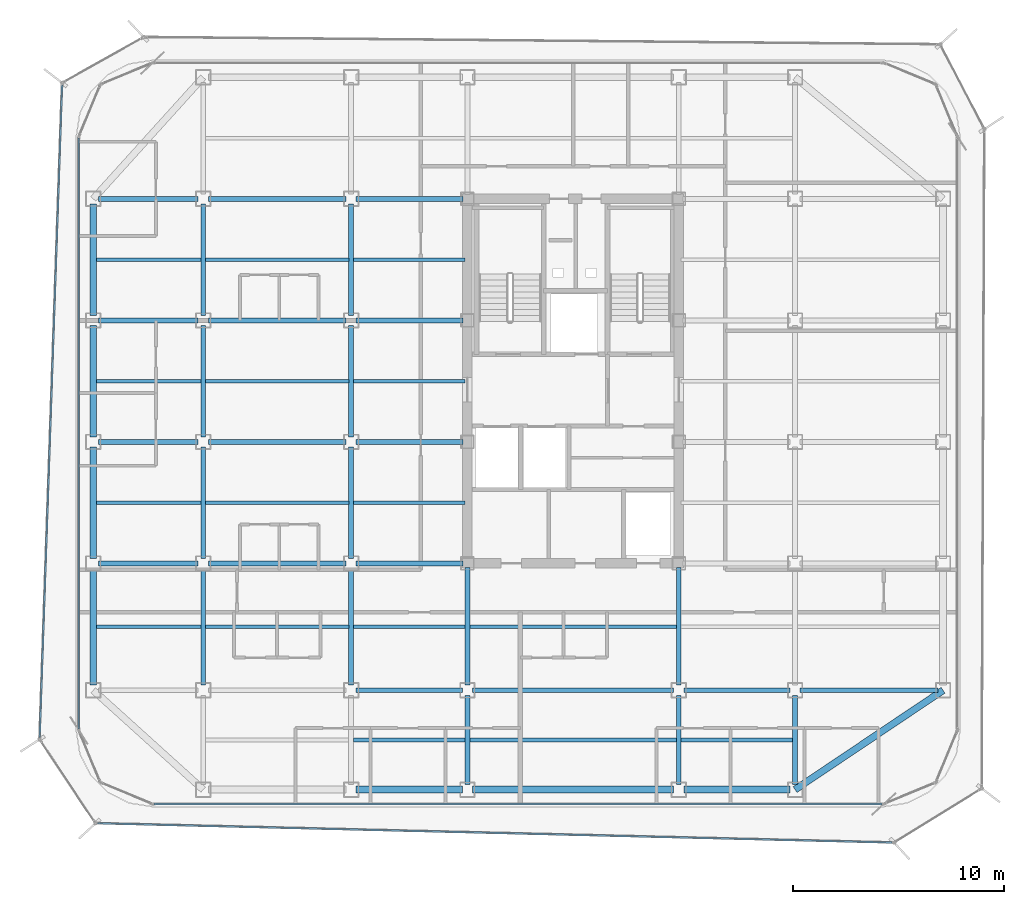
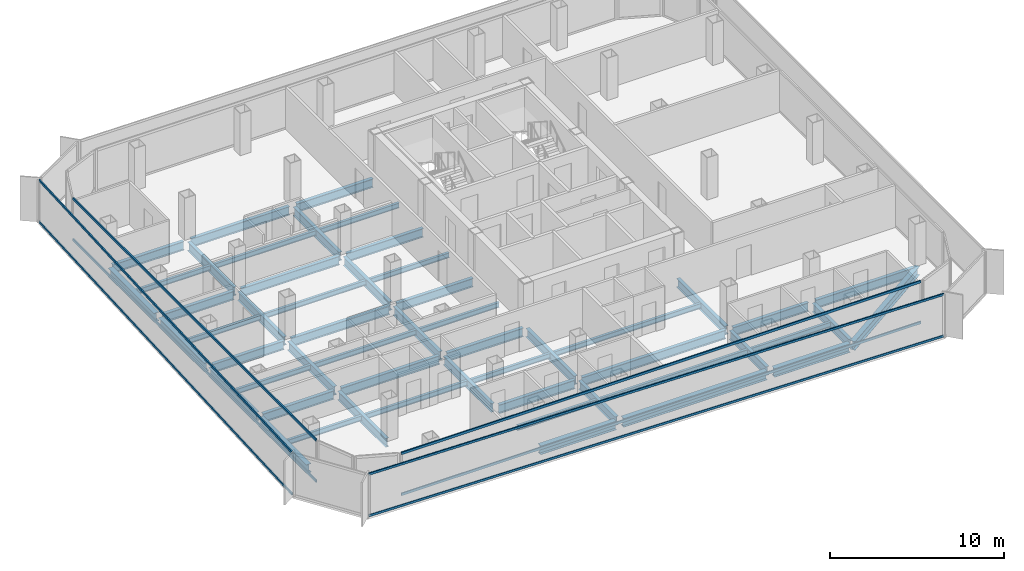
# One storey, part 3 of 15: 53 beams, 8 members, 4 elements without a shape of their own.
"""IFC4 building model written with IfcOpenShell, lengths in metres."""

from ifc_helpers import new_model, si_unit, direction, frame, origin, origin_2d, place, context, subcontext, project, spatial, hollow_rectangle, i_section, extrude, source, transform, mapped, material, layer, layer_set, material_profile, profile_set, type_object, element, aggregate, save


model = new_model("IFC4")

# Units and contexts
model_context = context("Model", 3, precision=1e-05, world=origin(), true_north=direction((0.0, 1.0)))
body_context = subcontext(model_context, "Body", "Model", "MODEL_VIEW")
ifc_project = project(units=[si_unit("LENGTHUNIT", "METRE"), si_unit("AREAUNIT", "SQUARE_METRE"), si_unit("VOLUMEUNIT", "CUBIC_METRE"), si_unit("PLANEANGLEUNIT", "RADIAN"), si_unit("MASSUNIT", "GRAM", prefix="KILO")], contexts=[model_context])

# Site, building, storey
site_placement = place(None, origin())
site = spatial("IfcSite", under=ifc_project, at=site_placement, CompositionType="ELEMENT")
building_placement = place(site_placement, origin())
building = spatial("IfcBuilding", under=site, at=building_placement, Name="Kolveth Station Tower", CompositionType="ELEMENT")
storey_placement = place(building_placement, frame((0.0, 0.0, 181.699951171875)))
storey = spatial("IfcBuildingStorey", under=building, at=storey_placement, Name="L51", CompositionType="ELEMENT", Elevation=181.699951171875)

# Beams
ifc_material_1 = material(Name="Steel S355", Category="steel")
ifc_material_profile_1 = material_profile(ifc_material_1, i_section(OverallWidth=0.323974609375, OverallDepth=0.611083984375, WebThickness=0.0126953125, FlangeThickness=0.01904296875, at=origin_2d()), Name="W610x155")
ifc_profile_set_1 = profile_set([ifc_material_profile_1], Name="Steel S355")
beam_type_1 = type_object("IfcBeamType", Name="Beam_SP2", PredefinedType="SPANDREL", material=ifc_profile_set_1)
shared_shape_1 = source(origin(), body_context, "Body", "SweptSolid", [
    extrude(i_section(OverallWidth=0.323974609375, OverallDepth=0.611083984375, WebThickness=0.0126953125, FlangeThickness=0.01904296875, at=origin_2d()), origin(), (0.0, 0.0, 1.0), 5.02001953125),
])
for number, where, z_axis, x_axis, name in (
    (1, (13.239990234375, 0.800048828125, -0.555419921875), (1.0, 0.0, 0.0), (0.0, 1.0, 0.0), "L51 Perimeter Spandrel BM-L51-PS-2"),
    (2, (28.739990234375, 0.800048828125, -0.555419921875), (1.0, 0.0, 0.0), (0.0, 1.0, 0.0), "L51 Perimeter Spandrel BM-L51-PS-4"),
):
    element("IfcBeam", number, at=place(storey_placement, frame(where, z_axis=z_axis, x_axis=x_axis)), inside=storey, type_object=beam_type_1, Name=name, PredefinedType="SPANDREL", context=body_context, shape_type="MappedRepresentation", body=[
        mapped(shared_shape_1, transform((0.0, 0.0, 0.0), x_axis=(1.0, 0.0, 0.0), y_axis=(0.0, 1.0, 0.0), z_axis=(0.0, 0.0, 1.0), scale=1.0)),
    ])
shared_shape_2 = source(origin(), body_context, "Body", "SweptSolid", [
    extrude(i_section(OverallWidth=0.323974609375, OverallDepth=0.611083984375, WebThickness=0.0126953125, FlangeThickness=0.01904296875, at=origin_2d()), origin(), (0.0, 0.0, 1.0), 9.52001953125),
])
beam_1_placement = place(storey_placement, frame((18.739990234375, 0.800048828125, -0.555419921875), z_axis=(1.0, 0.0, 0.0), x_axis=(0.0, 1.0, 0.0)))
element("IfcBeam", 3, at=beam_1_placement, inside=storey, type_object=beam_type_1, Name="L51 Perimeter Spandrel BM-L51-PS-3", PredefinedType="SPANDREL", context=body_context, shape_type="MappedRepresentation", body=[
    mapped(shared_shape_2, transform((0.0, 0.0, 0.0), x_axis=(1.0, 0.0, 0.0), y_axis=(0.0, 1.0, 0.0), z_axis=(0.0, 0.0, 1.0), scale=1.0)),
])
shared_shape_3 = source(origin(), body_context, "Body", "SweptSolid", [
    extrude(i_section(OverallWidth=0.323974609375, OverallDepth=0.611083984375, WebThickness=0.0126953125, FlangeThickness=0.01904296875, at=origin_2d()), origin(), (0.0, 0.0, 1.0), 5.52001953125),
])
beam_2_placement = place(storey_placement, frame((0.800048828125, 5.739990234375, -0.555419921875), z_axis=(0.0, 1.0, 0.0), x_axis=(-1.0, 0.0, 0.0)))
element("IfcBeam", 4, at=beam_2_placement, inside=storey, type_object=beam_type_1, Name="L51 Perimeter Spandrel BM-L51-PW-1", PredefinedType="SPANDREL", context=body_context, shape_type="MappedRepresentation", body=[
    mapped(shared_shape_3, transform((0.0, 0.0, 0.0), x_axis=(1.0, 0.0, 0.0), y_axis=(0.0, 1.0, 0.0), z_axis=(0.0, 0.0, 1.0), scale=1.0)),
])
shared_shape_4 = source(origin(), body_context, "Body", "SweptSolid", [
    extrude(i_section(OverallWidth=0.323974609375, OverallDepth=0.611083984375, WebThickness=0.0126953125, FlangeThickness=0.01904296875, at=origin_2d()), origin(), (0.0, 0.0, 1.0), 5.27001953125),
])
for number, where, z_axis, x_axis, name in (
    (5, (0.800048828125, 11.739990234375, -0.555419921875), (0.0, 1.0, 0.0), (-1.0, 0.0, 0.0), "L51 Perimeter Spandrel BM-L51-PW-2"),
    (6, (0.800048828125, 17.489990234375, -0.555419921875), (0.0, 1.0, 0.0), (-1.0, 0.0, 0.0), "L51 Perimeter Spandrel BM-L51-PW-3"),
    (7, (0.800048828125, 23.239990234375, -0.555419921875), (0.0, 1.0, 0.0), (-1.0, 0.0, 0.0), "L51 Perimeter Spandrel BM-L51-PW-4"),
):
    element("IfcBeam", number, at=place(storey_placement, frame(where, z_axis=z_axis, x_axis=x_axis)), inside=storey, type_object=beam_type_1, Name=name, PredefinedType="SPANDREL", context=body_context, shape_type="MappedRepresentation", body=[
        mapped(shared_shape_4, transform((0.0, 0.0, 0.0), x_axis=(1.0, 0.0, 0.0), y_axis=(0.0, 1.0, 0.0), z_axis=(0.0, 0.0, 1.0), scale=1.0)),
    ])
shared_shape_5 = source(origin(), body_context, "Body", "SweptSolid", [
    extrude(i_section(OverallWidth=0.323974609375, OverallDepth=0.611083984375, WebThickness=0.0126953125, FlangeThickness=0.01904296875, at=origin_2d()), origin(), (0.0, 0.0, 1.0), 8.431396484375),
])
beam_3_placement = place(storey_placement, frame((34.0, 0.800048828125, -0.555419921875), z_axis=(0.830223811004, 0.557430196206, 0.0), x_axis=(-0.557430196206, 0.830223811004, 0.0)))
element("IfcBeam", 8, at=beam_3_placement, inside=storey, type_object=beam_type_1, Name="L51 Corner Edge Girder BM-L51-CNR-SE", PredefinedType="SPANDREL", context=body_context, shape_type="MappedRepresentation", body=[
    mapped(shared_shape_5, transform((0.0, 0.0, 0.0), x_axis=(1.0, 0.0, 0.0), y_axis=(0.0, 1.0, 0.0), z_axis=(0.0, 0.0, 1.0), scale=1.0)),
])
ifc_material_profile_2 = material_profile(ifc_material_1, i_section(OverallWidth=0.22900390625, OverallDepth=0.612060546875, WebThickness=0.011962890625, FlangeThickness=0.01953125, at=origin_2d()), Name="W610x125")
ifc_profile_set_2 = profile_set([ifc_material_profile_2], Name="Steel S355")
beam_type_2 = type_object("IfcBeamType", Name="Beam_B5", PredefinedType="BEAM", material=ifc_profile_set_2)
shared_shape_6 = source(origin(), body_context, "Body", "SweptSolid", [
    extrude(i_section(OverallWidth=0.22900390625, OverallDepth=0.612060546875, WebThickness=0.011962890625, FlangeThickness=0.01953125, at=origin_2d()), origin(), (0.0, 0.0, 1.0), 4.719970703125),
])
for number, where, z_axis, x_axis, name in (
    (9, (1.0400390625, 11.5, -0.555908203125), (1.0, 0.0, 0.0), (0.0, 1.0, 0.0), "L51 Primary Girder BM-L51-GY115-1"),
    (10, (1.0400390625, 17.25, -0.555908203125), (1.0, 0.0, 0.0), (0.0, 1.0, 0.0), "L51 Primary Girder BM-L51-GY172-1"),
    (11, (1.0400390625, 23.0, -0.555908203125), (1.0, 0.0, 0.0), (0.0, 1.0, 0.0), "L51 Primary Girder BM-L51-GY230-1"),
    (12, (1.0400390625, 28.75, -0.555908203125), (1.0, 0.0, 0.0), (0.0, 1.0, 0.0), "L51 Primary Girder BM-L51-GY287-1"),
):
    element("IfcBeam", number, at=place(storey_placement, frame(where, z_axis=z_axis, x_axis=x_axis)), inside=storey, type_object=beam_type_2, Name=name, PredefinedType="BEAM", context=body_context, shape_type="MappedRepresentation", body=[
        mapped(shared_shape_6, transform((0.0, 0.0, 0.0), x_axis=(1.0, 0.0, 0.0), y_axis=(0.0, 1.0, 0.0), z_axis=(0.0, 0.0, 1.0), scale=1.0)),
    ])
shared_shape_7 = source(origin(), body_context, "Body", "SweptSolid", [
    extrude(i_section(OverallWidth=0.22900390625, OverallDepth=0.612060546875, WebThickness=0.011962890625, FlangeThickness=0.01953125, at=origin_2d()), origin(), (0.0, 0.0, 1.0), 6.52001953125),
])
for number, where, z_axis, x_axis, name in (
    (13, (34.239990234375, 5.5, -0.555908203125), (1.0, 0.0, 0.0), (0.0, 1.0, 0.0), "L51 Primary Girder BM-L51-GY55-6"),
    (14, (6.239990234375, 11.5, -0.555908203125), (1.0, 0.0, 0.0), (0.0, 1.0, 0.0), "L51 Primary Girder BM-L51-GY115-2"),
    (15, (6.239990234375, 17.25, -0.555908203125), (1.0, 0.0, 0.0), (0.0, 1.0, 0.0), "L51 Primary Girder BM-L51-GY172-2"),
    (16, (6.239990234375, 23.0, -0.555908203125), (1.0, 0.0, 0.0), (0.0, 1.0, 0.0), "L51 Primary Girder BM-L51-GY230-2"),
    (17, (6.239990234375, 28.75, -0.555908203125), (1.0, 0.0, 0.0), (0.0, 1.0, 0.0), "L51 Primary Girder BM-L51-GY287-2"),
):
    element("IfcBeam", number, at=place(storey_placement, frame(where, z_axis=z_axis, x_axis=x_axis)), inside=storey, type_object=beam_type_2, Name=name, PredefinedType="BEAM", context=body_context, shape_type="MappedRepresentation", body=[
        mapped(shared_shape_7, transform((0.0, 0.0, 0.0), x_axis=(1.0, 0.0, 0.0), y_axis=(0.0, 1.0, 0.0), z_axis=(0.0, 0.0, 1.0), scale=1.0)),
    ])
shared_shape_8 = source(origin(), body_context, "Body", "SweptSolid", [
    extrude(i_section(OverallWidth=0.22900390625, OverallDepth=0.612060546875, WebThickness=0.011962890625, FlangeThickness=0.01953125, at=origin_2d()), origin(), (0.0, 0.0, 1.0), 5.02001953125),
])
for number, where, z_axis, x_axis, name in (
    (18, (13.239990234375, 5.5, -0.555908203125), (1.0, 0.0, 0.0), (0.0, 1.0, 0.0), "L51 Primary Girder BM-L51-GY55-3"),
    (19, (28.739990234375, 5.5, -0.555908203125), (1.0, 0.0, 0.0), (0.0, 1.0, 0.0), "L51 Primary Girder BM-L51-GY55-5"),
):
    element("IfcBeam", number, at=place(storey_placement, frame(where, z_axis=z_axis, x_axis=x_axis)), inside=storey, type_object=beam_type_2, Name=name, PredefinedType="BEAM", context=body_context, shape_type="MappedRepresentation", body=[
        mapped(shared_shape_8, transform((0.0, 0.0, 0.0), x_axis=(1.0, 0.0, 0.0), y_axis=(0.0, 1.0, 0.0), z_axis=(0.0, 0.0, 1.0), scale=1.0)),
    ])
shared_shape_9 = source(origin(), body_context, "Body", "SweptSolid", [
    extrude(i_section(OverallWidth=0.22900390625, OverallDepth=0.612060546875, WebThickness=0.011962890625, FlangeThickness=0.01953125, at=origin_2d()), origin(), (0.0, 0.0, 1.0), 9.52001953125),
])
beam_4_placement = place(storey_placement, frame((18.739990234375, 5.5, -0.555908203125), z_axis=(1.0, 0.0, 0.0), x_axis=(0.0, 1.0, 0.0)))
element("IfcBeam", 20, at=beam_4_placement, inside=storey, type_object=beam_type_2, Name="L51 Primary Girder BM-L51-GY55-4", PredefinedType="BEAM", context=body_context, shape_type="MappedRepresentation", body=[
    mapped(shared_shape_9, transform((0.0, 0.0, 0.0), x_axis=(1.0, 0.0, 0.0), y_axis=(0.0, 1.0, 0.0), z_axis=(0.0, 0.0, 1.0), scale=1.0)),
])
shared_shape_10 = source(origin(), body_context, "Body", "SweptSolid", [
    extrude(i_section(OverallWidth=0.22900390625, OverallDepth=0.612060546875, WebThickness=0.011962890625, FlangeThickness=0.01953125, at=origin_2d()), origin(), (0.0, 0.0, 1.0), 5.06005859375),
])
for number, where, z_axis, x_axis, name in (
    (21, (13.239990234375, 11.5, -0.555908203125), (1.0, 0.0, 0.0), (0.0, 1.0, 0.0), "L51 Primary Girder BM-L51-GY115-3"),
    (22, (13.239990234375, 17.25, -0.555908203125), (1.0, 0.0, 0.0), (0.0, 1.0, 0.0), "L51 Primary Girder BM-L51-GY172-3"),
    (23, (13.239990234375, 23.0, -0.555908203125), (1.0, 0.0, 0.0), (0.0, 1.0, 0.0), "L51 Primary Girder BM-L51-GY230-3"),
    (24, (13.239990234375, 28.75, -0.555908203125), (1.0, 0.0, 0.0), (0.0, 1.0, 0.0), "L51 Primary Girder BM-L51-GY287-3"),
):
    element("IfcBeam", number, at=place(storey_placement, frame(where, z_axis=z_axis, x_axis=x_axis)), inside=storey, type_object=beam_type_2, Name=name, PredefinedType="BEAM", context=body_context, shape_type="MappedRepresentation", body=[
        mapped(shared_shape_10, transform((0.0, 0.0, 0.0), x_axis=(1.0, 0.0, 0.0), y_axis=(0.0, 1.0, 0.0), z_axis=(0.0, 0.0, 1.0), scale=1.0)),
    ])
shared_shape_11 = source(origin(), body_context, "Body", "SweptSolid", [
    extrude(i_section(OverallWidth=0.22900390625, OverallDepth=0.612060546875, WebThickness=0.011962890625, FlangeThickness=0.01953125, at=origin_2d()), origin(), (0.0, 0.0, 1.0), 4.219970703125),
])
for number, where, z_axis, x_axis, name in (
    (25, (18.5, 1.0400390625, -0.555908203125), (0.0, 1.0, 0.0), (-1.0, 0.0, 0.0), "L51 Primary Girder BM-L51-GX185-1"),
    (26, (28.5, 1.0400390625, -0.555908203125), (0.0, 1.0, 0.0), (-1.0, 0.0, 0.0), "L51 Primary Girder BM-L51-GX285-1"),
    (27, (34.0, 1.0400390625, -0.555908203125), (0.0, 1.0, 0.0), (-1.0, 0.0, 0.0), "L51 Primary Girder BM-L51-GX340-1"),
):
    element("IfcBeam", number, at=place(storey_placement, frame(where, z_axis=z_axis, x_axis=x_axis)), inside=storey, type_object=beam_type_2, Name=name, PredefinedType="BEAM", context=body_context, shape_type="MappedRepresentation", body=[
        mapped(shared_shape_11, transform((0.0, 0.0, 0.0), x_axis=(1.0, 0.0, 0.0), y_axis=(0.0, 1.0, 0.0), z_axis=(0.0, 0.0, 1.0), scale=1.0)),
    ])
shared_shape_12 = source(origin(), body_context, "Body", "SweptSolid", [
    extrude(i_section(OverallWidth=0.22900390625, OverallDepth=0.612060546875, WebThickness=0.011962890625, FlangeThickness=0.01953125, at=origin_2d()), origin(), (0.0, 0.0, 1.0), 5.52001953125),
])
for number, where, z_axis, x_axis, name in (
    (28, (6.0, 5.739990234375, -0.555908203125), (0.0, 1.0, 0.0), (-1.0, 0.0, 0.0), "L51 Primary Girder BM-L51-GX60-2"),
    (29, (13.0, 5.739990234375, -0.555908203125), (0.0, 1.0, 0.0), (-1.0, 0.0, 0.0), "L51 Primary Girder BM-L51-GX130-2"),
):
    element("IfcBeam", number, at=place(storey_placement, frame(where, z_axis=z_axis, x_axis=x_axis)), inside=storey, type_object=beam_type_2, Name=name, PredefinedType="BEAM", context=body_context, shape_type="MappedRepresentation", body=[
        mapped(shared_shape_12, transform((0.0, 0.0, 0.0), x_axis=(1.0, 0.0, 0.0), y_axis=(0.0, 1.0, 0.0), z_axis=(0.0, 0.0, 1.0), scale=1.0)),
    ])
shared_shape_13 = source(origin(), body_context, "Body", "SweptSolid", [
    extrude(i_section(OverallWidth=0.22900390625, OverallDepth=0.612060546875, WebThickness=0.011962890625, FlangeThickness=0.01953125, at=origin_2d()), origin(), (0.0, 0.0, 1.0), 5.27001953125),
])
for number, where, z_axis, x_axis, name in (
    (30, (6.0, 11.739990234375, -0.555908203125), (0.0, 1.0, 0.0), (-1.0, 0.0, 0.0), "L51 Primary Girder BM-L51-GX60-3"),
    (31, (6.0, 17.489990234375, -0.555908203125), (0.0, 1.0, 0.0), (-1.0, 0.0, 0.0), "L51 Primary Girder BM-L51-GX60-4"),
    (32, (6.0, 23.239990234375, -0.555908203125), (0.0, 1.0, 0.0), (-1.0, 0.0, 0.0), "L51 Primary Girder BM-L51-GX60-5"),
    (33, (13.0, 11.739990234375, -0.555908203125), (0.0, 1.0, 0.0), (-1.0, 0.0, 0.0), "L51 Primary Girder BM-L51-GX130-3"),
    (34, (13.0, 17.489990234375, -0.555908203125), (0.0, 1.0, 0.0), (-1.0, 0.0, 0.0), "L51 Primary Girder BM-L51-GX130-4"),
    (35, (13.0, 23.239990234375, -0.555908203125), (0.0, 1.0, 0.0), (-1.0, 0.0, 0.0), "L51 Primary Girder BM-L51-GX130-5"),
):
    element("IfcBeam", number, at=place(storey_placement, frame(where, z_axis=z_axis, x_axis=x_axis)), inside=storey, type_object=beam_type_2, Name=name, PredefinedType="BEAM", context=body_context, shape_type="MappedRepresentation", body=[
        mapped(shared_shape_13, transform((0.0, 0.0, 0.0), x_axis=(1.0, 0.0, 0.0), y_axis=(0.0, 1.0, 0.0), z_axis=(0.0, 0.0, 1.0), scale=1.0)),
    ])
shared_shape_14 = source(origin(), body_context, "Body", "SweptSolid", [
    extrude(i_section(OverallWidth=0.22900390625, OverallDepth=0.612060546875, WebThickness=0.011962890625, FlangeThickness=0.01953125, at=origin_2d()), origin(), (0.0, 0.0, 1.0), 5.56005859375),
])
for number, where, z_axis, x_axis, name in (
    (36, (18.5, 5.739990234375, -0.555908203125), (0.0, 1.0, 0.0), (-1.0, 0.0, 0.0), "L51 Primary Girder BM-L51-GX185-2"),
    (37, (28.5, 5.739990234375, -0.555908203125), (0.0, 1.0, 0.0), (-1.0, 0.0, 0.0), "L51 Primary Girder BM-L51-GX285-2"),
):
    element("IfcBeam", number, at=place(storey_placement, frame(where, z_axis=z_axis, x_axis=x_axis)), inside=storey, type_object=beam_type_2, Name=name, PredefinedType="BEAM", context=body_context, shape_type="MappedRepresentation", body=[
        mapped(shared_shape_14, transform((0.0, 0.0, 0.0), x_axis=(1.0, 0.0, 0.0), y_axis=(0.0, 1.0, 0.0), z_axis=(0.0, 0.0, 1.0), scale=1.0)),
    ])
ifc_material_profile_3 = material_profile(ifc_material_1, i_section(OverallWidth=0.1708984375, OverallDepth=0.35205078125, WebThickness=0.0068359375, FlangeThickness=0.009765625, at=origin_2d()), Name="W360x44")
ifc_profile_set_3 = profile_set([ifc_material_profile_3], Name="Steel S355")
beam_type_3 = type_object("IfcBeamType", Name="Beam_J2", PredefinedType="JOIST", material=ifc_profile_set_3)
shared_shape_15 = source(origin(), body_context, "Body", "SweptSolid", [
    extrude(i_section(OverallWidth=0.1708984375, OverallDepth=0.35205078125, WebThickness=0.0068359375, FlangeThickness=0.009765625, at=origin_2d()), origin(), (0.0, 0.0, 1.0), 4.927490234375),
])
for number, where, z_axis, x_axis, name in (
    (38, (0.9599609375, 8.5, -0.426025390625), (1.0, 0.0, 0.0), (0.0, 1.0, 0.0), "L51 Secondary Joist JST-L51-1-2"),
    (39, (0.9599609375, 14.375, -0.426025390625), (1.0, 0.0, 0.0), (0.0, 1.0, 0.0), "L51 Secondary Joist JST-L51-1-3"),
    (40, (0.9599609375, 20.125, -0.426025390625), (1.0, 0.0, 0.0), (0.0, 1.0, 0.0), "L51 Secondary Joist JST-L51-1-4"),
    (41, (0.9599609375, 25.875, -0.426025390625), (1.0, 0.0, 0.0), (0.0, 1.0, 0.0), "L51 Secondary Joist JST-L51-1-5"),
):
    element("IfcBeam", number, at=place(storey_placement, frame(where, z_axis=z_axis, x_axis=x_axis)), inside=storey, type_object=beam_type_3, Name=name, PredefinedType="JOIST", context=body_context, shape_type="MappedRepresentation", body=[
        mapped(shared_shape_15, transform((0.0, 0.0, 0.0), x_axis=(1.0, 0.0, 0.0), y_axis=(0.0, 1.0, 0.0), z_axis=(0.0, 0.0, 1.0), scale=1.0)),
    ])
shared_shape_16 = source(origin(), body_context, "Body", "SweptSolid", [
    extrude(i_section(OverallWidth=0.1708984375, OverallDepth=0.35205078125, WebThickness=0.0068359375, FlangeThickness=0.009765625, at=origin_2d()), origin(), (0.0, 0.0, 1.0), 6.77490234375),
])
for number, where, z_axis, x_axis, name in (
    (42, (6.112548828125, 8.5, -0.426025390625), (1.0, 0.0, 0.0), (0.0, 1.0, 0.0), "L51 Secondary Joist JST-L51-2-2"),
    (43, (6.112548828125, 14.375, -0.426025390625), (1.0, 0.0, 0.0), (0.0, 1.0, 0.0), "L51 Secondary Joist JST-L51-2-3"),
    (44, (6.112548828125, 20.125, -0.426025390625), (1.0, 0.0, 0.0), (0.0, 1.0, 0.0), "L51 Secondary Joist JST-L51-2-4"),
    (45, (6.112548828125, 25.875, -0.426025390625), (1.0, 0.0, 0.0), (0.0, 1.0, 0.0), "L51 Secondary Joist JST-L51-2-5"),
):
    element("IfcBeam", number, at=place(storey_placement, frame(where, z_axis=z_axis, x_axis=x_axis)), inside=storey, type_object=beam_type_3, Name=name, PredefinedType="JOIST", context=body_context, shape_type="MappedRepresentation", body=[
        mapped(shared_shape_16, transform((0.0, 0.0, 0.0), x_axis=(1.0, 0.0, 0.0), y_axis=(0.0, 1.0, 0.0), z_axis=(0.0, 0.0, 1.0), scale=1.0)),
    ])
shared_shape_17 = source(origin(), body_context, "Body", "SweptSolid", [
    extrude(i_section(OverallWidth=0.1708984375, OverallDepth=0.35205078125, WebThickness=0.0068359375, FlangeThickness=0.009765625, at=origin_2d()), origin(), (0.0, 0.0, 1.0), 5.27490234375),
])
for number, where, z_axis, x_axis, name in (
    (46, (13.112548828125, 3.14990234375, -0.426025390625), (1.0, 0.0, 0.0), (0.0, 1.0, 0.0), "L51 Secondary Joist JST-L51-3-1"),
    (47, (13.112548828125, 8.5, -0.426025390625), (1.0, 0.0, 0.0), (0.0, 1.0, 0.0), "L51 Secondary Joist JST-L51-3-2"),
    (48, (13.112548828125, 14.375, -0.426025390625), (1.0, 0.0, 0.0), (0.0, 1.0, 0.0), "L51 Secondary Joist JST-L51-3-3"),
    (49, (13.112548828125, 20.125, -0.426025390625), (1.0, 0.0, 0.0), (0.0, 1.0, 0.0), "L51 Secondary Joist JST-L51-3-4"),
    (50, (13.112548828125, 25.875, -0.426025390625), (1.0, 0.0, 0.0), (0.0, 1.0, 0.0), "L51 Secondary Joist JST-L51-3-5"),
    (51, (28.612548828125, 3.14990234375, -0.426025390625), (1.0, 0.0, 0.0), (0.0, 1.0, 0.0), "L51 Secondary Joist JST-L51-5-1"),
):
    element("IfcBeam", number, at=place(storey_placement, frame(where, z_axis=z_axis, x_axis=x_axis)), inside=storey, type_object=beam_type_3, Name=name, PredefinedType="JOIST", context=body_context, shape_type="MappedRepresentation", body=[
        mapped(shared_shape_17, transform((0.0, 0.0, 0.0), x_axis=(1.0, 0.0, 0.0), y_axis=(0.0, 1.0, 0.0), z_axis=(0.0, 0.0, 1.0), scale=1.0)),
    ])
shared_shape_18 = source(origin(), body_context, "Body", "SweptSolid", [
    extrude(i_section(OverallWidth=0.1708984375, OverallDepth=0.35205078125, WebThickness=0.0068359375, FlangeThickness=0.009765625, at=origin_2d()), origin(), (0.0, 0.0, 1.0), 9.77490234375),
])
for number, where, z_axis, x_axis, name in (
    (52, (18.612548828125, 3.14990234375, -0.426025390625), (1.0, 0.0, 0.0), (0.0, 1.0, 0.0), "L51 Secondary Joist JST-L51-4-1"),
    (53, (18.612548828125, 8.5, -0.426025390625), (1.0, 0.0, 0.0), (0.0, 1.0, 0.0), "L51 Secondary Joist JST-L51-4-2"),
):
    element("IfcBeam", number, at=place(storey_placement, frame(where, z_axis=z_axis, x_axis=x_axis)), inside=storey, type_object=beam_type_3, Name=name, PredefinedType="JOIST", context=body_context, shape_type="MappedRepresentation", body=[
        mapped(shared_shape_18, transform((0.0, 0.0, 0.0), x_axis=(1.0, 0.0, 0.0), y_axis=(0.0, 1.0, 0.0), z_axis=(0.0, 0.0, 1.0), scale=1.0)),
    ])

# Curtain wall, members
ifc_material_2 = material(Name="Aluminium 6063-T6 and low-E dark glass", Category="aluminium")
ifc_layer_1 = layer(ifc_material_2, 0.18994140625)
ifc_layer_set_1 = layer_set([ifc_layer_1], Name="Aluminium 6063-T6 and low-E dark glass")
curtain_wall_type_1 = type_object("IfcCurtainWallType", Name="CurtainWall_CW-Z2", PredefinedType="NOTDEFINED", material=ifc_layer_set_1)
curtain_wall_1_placement = place(storey_placement, origin())
curtain_wall_1 = element("IfcCurtainWall", 54, at=curtain_wall_1_placement, inside=storey, type_object=curtain_wall_type_1, Name="L51 Inner Thermal Curtain Wall 9", PredefinedType="NOTDEFINED")
ifc_material_3 = material(Name="Black anodized aluminium 6063-T6", Category="aluminium")
ifc_material_profile_4 = material_profile(ifc_material_3, hollow_rectangle(XDim=0.080078125, YDim=0.169921875, WallThickness=0.0048828125, at=origin_2d()), Name="ALU-80x170x5")
ifc_profile_set_4 = profile_set([ifc_material_profile_4], Name="Black anodized aluminium 6063-T6")
member_type_1 = type_object("IfcMemberType", Name="Transom_TR2", PredefinedType="USERDEFINED", material=ifc_profile_set_4)
shared_shape_19 = source(origin(), body_context, "Body", "SweptSolid", [
    extrude(hollow_rectangle(XDim=0.080078125, YDim=0.169921875, WallThickness=0.0048828125, at=origin_2d()), origin(), (0.0, 0.0, 1.0), 27.940185546875),
])
member_1_placement = place(storey_placement, frame((0.1201171875, 31.6201171875, 0.0400390625), z_axis=(0.0, -1.0, 0.0), x_axis=(1.0, 0.0, 0.0)))
member_1 = element("IfcMember", 55, at=member_1_placement, type_object=member_type_1, Name="CW-Z2 transom 1.1", ObjectType="TRANSOM", PredefinedType="USERDEFINED", context=body_context, shape_type="MappedRepresentation", body=[
    mapped(shared_shape_19, transform((0.0, 0.0, 0.0), x_axis=(1.0, 0.0, 0.0), y_axis=(0.0, 1.0, 0.0), z_axis=(0.0, 0.0, 1.0), scale=1.0)),
])
member_2_placement = place(storey_placement, frame((0.1201171875, 31.6201171875, 2.91015625), z_axis=(0.0, -1.0, 0.0), x_axis=(1.0, 0.0, 0.0)))
member_2 = element("IfcMember", 56, at=member_2_placement, type_object=member_type_1, Name="CW-Z2 transom 1.2", ObjectType="TRANSOM", PredefinedType="USERDEFINED", context=body_context, shape_type="MappedRepresentation", body=[
    mapped(shared_shape_19, transform((0.0, 0.0, 0.0), x_axis=(1.0, 0.0, 0.0), y_axis=(0.0, 1.0, 0.0), z_axis=(0.0, 0.0, 1.0), scale=1.0)),
])
aggregate(curtain_wall_1, [member_1, member_2])

curtain_wall_2_placement = place(storey_placement, origin())
curtain_wall_2 = element("IfcCurtainWall", 57, at=curtain_wall_2_placement, inside=storey, type_object=curtain_wall_type_1, Name="L51 Inner Thermal Curtain Wall 12", PredefinedType="NOTDEFINED")
shared_shape_20 = source(origin(), body_context, "Body", "SweptSolid", [
    extrude(hollow_rectangle(XDim=0.080078125, YDim=0.169921875, WallThickness=0.0048828125, at=origin_2d()), origin(), (0.0, 0.0, 1.0), 34.440185546875),
])
member_3_placement = place(storey_placement, frame((3.679931640625, 0.1201171875, 0.0400390625), z_axis=(1.0, 0.0, 0.0), x_axis=(0.0, 1.0, 0.0)))
member_3 = element("IfcMember", 58, at=member_3_placement, type_object=member_type_1, Name="CW-Z2 transom 1.1", ObjectType="TRANSOM", PredefinedType="USERDEFINED", context=body_context, shape_type="MappedRepresentation", body=[
    mapped(shared_shape_20, transform((0.0, 0.0, 0.0), x_axis=(1.0, 0.0, 0.0), y_axis=(0.0, 1.0, 0.0), z_axis=(0.0, 0.0, 1.0), scale=1.0)),
])
member_4_placement = place(storey_placement, frame((3.679931640625, 0.1201171875, 2.91015625), z_axis=(1.0, 0.0, 0.0), x_axis=(0.0, 1.0, 0.0)))
member_4 = element("IfcMember", 59, at=member_4_placement, type_object=member_type_1, Name="CW-Z2 transom 1.2", ObjectType="TRANSOM", PredefinedType="USERDEFINED", context=body_context, shape_type="MappedRepresentation", body=[
    mapped(shared_shape_20, transform((0.0, 0.0, 0.0), x_axis=(1.0, 0.0, 0.0), y_axis=(0.0, 1.0, 0.0), z_axis=(0.0, 0.0, 1.0), scale=1.0)),
])
aggregate(curtain_wall_2, [member_3, member_4])

ifc_material_4 = material(Name="Black anodized aluminium 6063-T6 and dark solar glass", Category="aluminium")
ifc_layer_2 = layer(ifc_material_4, 0.159912109375)
ifc_layer_set_2 = layer_set([ifc_layer_2], Name="Black anodized aluminium 6063-T6 and dark solar glass")
curtain_wall_type_2 = type_object("IfcCurtainWallType", Name="OUTER SKIN CW-OS", PredefinedType="NOTDEFINED", material=ifc_layer_set_2)
curtain_wall_3_placement = place(storey_placement, origin())
curtain_wall_3 = element("IfcCurtainWall", 60, at=curtain_wall_3_placement, inside=storey, type_object=curtain_wall_type_2, Name="L51 Outer Ventilated Skin Curtain Wall 6", PredefinedType="NOTDEFINED")
ifc_material_profile_5 = material_profile(ifc_material_3, hollow_rectangle(XDim=0.080078125, YDim=0.14990234375, WallThickness=0.0048828125, at=origin_2d()), Name="ALU-80x150x5")
ifc_profile_set_5 = profile_set([ifc_material_profile_5], Name="Black anodized aluminium 6063-T6")
member_type_2 = type_object("IfcMemberType", Name="Transom_TR-OS", PredefinedType="USERDEFINED", material=ifc_profile_set_5)
shared_shape_21 = source(origin(), body_context, "Body", "SweptSolid", [
    extrude(hollow_rectangle(XDim=0.080078125, YDim=0.14990234375, WallThickness=0.0048828125, at=origin_2d()), origin(), (0.0, 0.0, 1.0), 30.892822265625),
])
member_5_placement = place(storey_placement, frame((-0.67236328125, 34.143310546875, 0.0400390625), z_axis=(-0.034337885457, -0.999410280927, 0.0), x_axis=(0.999410280927, -0.034337885457, 0.0)))
member_5 = element("IfcMember", 61, at=member_5_placement, type_object=member_type_2, Name="CW-OS transom 1.1", ObjectType="TRANSOM", PredefinedType="USERDEFINED", context=body_context, shape_type="MappedRepresentation", body=[
    mapped(shared_shape_21, transform((0.0, 0.0, 0.0), x_axis=(1.0, 0.0, 0.0), y_axis=(0.0, 1.0, 0.0), z_axis=(0.0, 0.0, 1.0), scale=1.0)),
])
member_6_placement = place(storey_placement, frame((-0.67236328125, 34.143310546875, 2.949951171875), z_axis=(-0.034337885457, -0.999410280927, 0.0), x_axis=(0.999410280927, -0.034337885457, 0.0)))
member_6 = element("IfcMember", 62, at=member_6_placement, type_object=member_type_2, Name="CW-OS transom 1.2", ObjectType="TRANSOM", PredefinedType="USERDEFINED", context=body_context, shape_type="MappedRepresentation", body=[
    mapped(shared_shape_21, transform((0.0, 0.0, 0.0), x_axis=(1.0, 0.0, 0.0), y_axis=(0.0, 1.0, 0.0), z_axis=(0.0, 0.0, 1.0), scale=1.0)),
])
aggregate(curtain_wall_3, [member_5, member_6])

curtain_wall_4_placement = place(storey_placement, origin())
curtain_wall_4 = element("IfcCurtainWall", 63, at=curtain_wall_4_placement, inside=storey, type_object=curtain_wall_type_2, Name="L51 Outer Ventilated Skin Curtain Wall 8", PredefinedType="NOTDEFINED")
shared_shape_22 = source(origin(), body_context, "Body", "SweptSolid", [
    extrude(hollow_rectangle(XDim=0.080078125, YDim=0.14990234375, WallThickness=0.0048828125, at=origin_2d()), origin(), (0.0, 0.0, 1.0), 37.6044921875),
])
member_7_placement = place(storey_placement, frame((1.001708984375, -0.79052734375, 0.0400390625), z_axis=(0.999705639958, -0.024261769004, 0.0), x_axis=(0.024261769004, 0.999705639958, 0.0)))
member_7 = element("IfcMember", 64, at=member_7_placement, type_object=member_type_2, Name="CW-OS transom 1.1", ObjectType="TRANSOM", PredefinedType="USERDEFINED", context=body_context, shape_type="MappedRepresentation", body=[
    mapped(shared_shape_22, transform((0.0, 0.0, 0.0), x_axis=(1.0, 0.0, 0.0), y_axis=(0.0, 1.0, 0.0), z_axis=(0.0, 0.0, 1.0), scale=1.0)),
])
member_8_placement = place(storey_placement, frame((1.001708984375, -0.79052734375, 2.949951171875), z_axis=(0.999705639958, -0.024261769004, 0.0), x_axis=(0.024261769004, 0.999705639958, 0.0)))
member_8 = element("IfcMember", 65, at=member_8_placement, type_object=member_type_2, Name="CW-OS transom 1.2", ObjectType="TRANSOM", PredefinedType="USERDEFINED", context=body_context, shape_type="MappedRepresentation", body=[
    mapped(shared_shape_22, transform((0.0, 0.0, 0.0), x_axis=(1.0, 0.0, 0.0), y_axis=(0.0, 1.0, 0.0), z_axis=(0.0, 0.0, 1.0), scale=1.0)),
])
aggregate(curtain_wall_4, [member_7, member_8])

save(model, "model.ifc")
